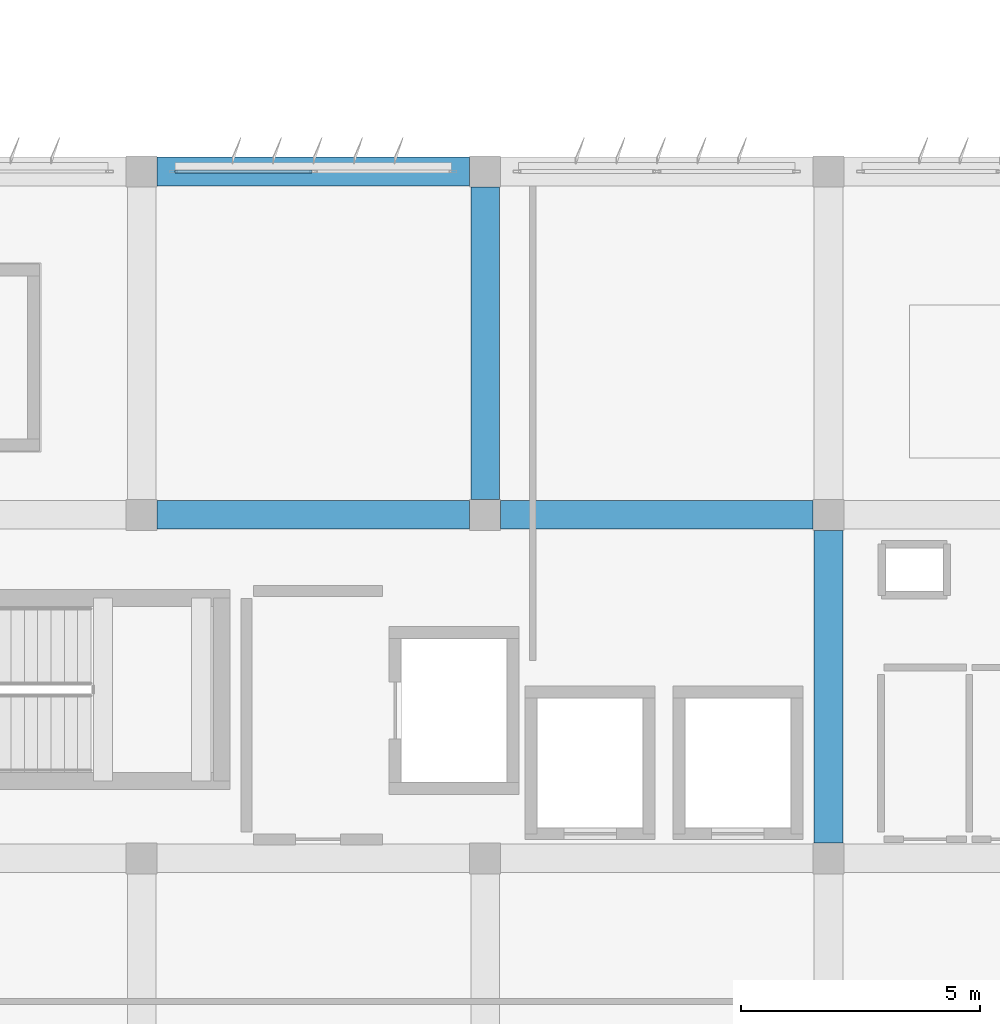
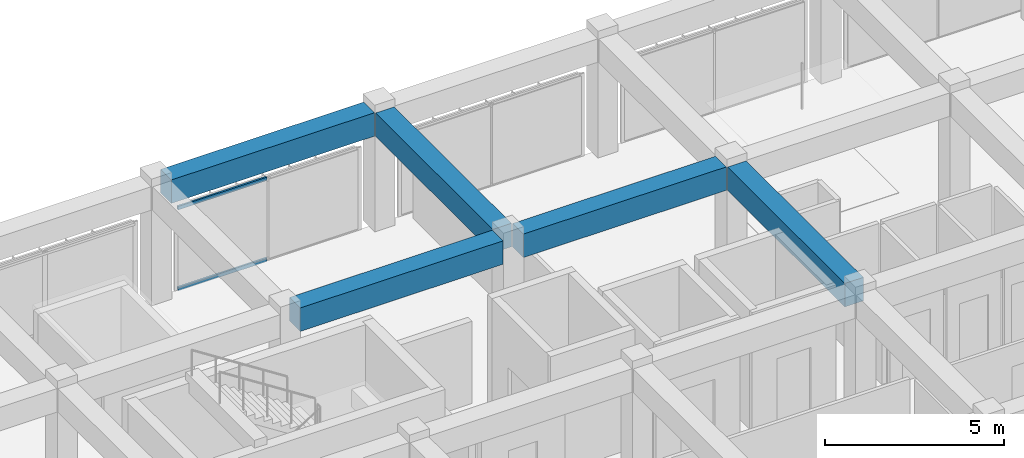
# One storey, part 14 of 53: 5 beams, 2 members, 1 element without a shape of its own.
"""IFC4 building model written with IfcOpenShell, lengths in metres."""

from ifc_helpers import new_model, si_unit, direction, frame, origin, origin_2d, place, context, subcontext, project, spatial, rectangle, hollow_rectangle, extrude, material, material_profile, profile_set, type_object, element, aggregate, save


model = new_model("IFC4")

# Units and contexts
model_context = context("Model", 3, precision=1e-05, world=origin(), true_north=direction((0.0, 1.0)))
body_context = subcontext(model_context, "Body", "Model", "MODEL_VIEW")
ifc_project = project(units=[si_unit("LENGTHUNIT", "METRE"), si_unit("AREAUNIT", "SQUARE_METRE"), si_unit("VOLUMEUNIT", "CUBIC_METRE"), si_unit("PLANEANGLEUNIT", "RADIAN"), si_unit("MASSUNIT", "GRAM", prefix="KILO")], contexts=[model_context])

# Site, building, storey
site_placement = place(None, origin())
site = spatial("IfcSite", under=ifc_project, at=site_placement, CompositionType="ELEMENT")
building_placement = place(site_placement, origin())
building = spatial("IfcBuilding", under=site, at=building_placement, Name="Kazehaya Institute of Natural Sciences", CompositionType="ELEMENT")
storey_placement = place(building_placement, frame((0.0, 0.0, 33.300048828125)))
storey = spatial("IfcBuildingStorey", under=building, at=storey_placement, Name="L07", CompositionType="ELEMENT", Elevation=33.300048828125)

# Beams
ifc_material_1 = material(Name="Concrete Fc36", Category="concrete")
ifc_material_profile_1 = material_profile(ifc_material_1, rectangle(XDim=0.60009765625, YDim=0.800048828125, at=origin_2d()), Name="RC-600x800")
ifc_profile_set_1 = profile_set([ifc_material_profile_1], Name="Concrete Fc36")
beam_type = type_object("IfcBeamType", Name="BM-G-600x800", PredefinedType="BEAM", material=ifc_profile_set_1)
for number, where, z_axis, x_axis, name in (
    (1, (69.324951171875, 28.39990234375, 3.64990234375), (1.0, 0.0, 0.0), (0.0, 1.0, 0.0), "L07 primary X girder BMX-L07-690-284"),
    (2, (76.52490234375, 28.39990234375, 3.64990234375), (1.0, 0.0, 0.0), (0.0, 1.0, 0.0), "L07 primary X girder BMX-L07-762-284"),
    (3, (69.324951171875, 35.60009765625, 3.64990234375), (1.0, 0.0, 0.0), (0.0, 1.0, 0.0), "L07 primary X girder BMX-L07-690-356"),
):
    element("IfcBeam", number, at=place(storey_placement, frame(where, z_axis=z_axis, x_axis=x_axis)), inside=storey, type_object=beam_type, Name=name, PredefinedType="BEAM", context=body_context, shape_type="SweptSolid", body=[
        extrude(rectangle(XDim=0.60009765625, YDim=0.800048828125, at=origin_2d()), origin(), (0.0, 0.0, 1.0), 6.550048828125),
    ])
beam_1_placement = place(storey_placement, frame((76.199951171875, 28.72509765625, 3.64990234375), z_axis=(0.0, 1.0, 0.0), x_axis=(-1.0, 0.0, 0.0)))
element("IfcBeam", 4, at=beam_1_placement, inside=storey, type_object=beam_type, Name="L07 primary Y girder BMY-L07-762-284", PredefinedType="BEAM", context=body_context, shape_type="SweptSolid", body=[
    extrude(rectangle(XDim=0.60009765625, YDim=0.800048828125, at=origin_2d()), origin(), (0.0, 0.0, 1.0), 6.5498046875),
])
beam_2_placement = place(storey_placement, frame((83.39990234375, 21.52490234375, 3.64990234375), z_axis=(0.0, 1.0, 0.0), x_axis=(-1.0, 0.0, 0.0)))
element("IfcBeam", 5, at=beam_2_placement, inside=storey, type_object=beam_type, Name="L07 primary Y girder BMY-L07-834-212", PredefinedType="BEAM", context=body_context, shape_type="SweptSolid", body=[
    extrude(rectangle(XDim=0.60009765625, YDim=0.800048828125, at=origin_2d()), origin(), (0.0, 0.0, 1.0), 6.550048828125),
])

# Curtain wall, members
ifc_material_2 = material(Name="Aluminium alloy A6063S-T5", Category="aluminium")
curtain_wall_type = type_object("IfcCurtainWallType", Name="CW-SYS-05", PredefinedType="NOTDEFINED", material=ifc_material_2)
curtain_wall_placement = place(storey_placement, origin())
curtain_wall = element("IfcCurtainWall", 6, at=curtain_wall_placement, inside=storey, type_object=curtain_wall_type, Name="L07 unitised curtain wall CW-L07-159", PredefinedType="NOTDEFINED")
ifc_material_profile_2 = material_profile(ifc_material_2, hollow_rectangle(XDim=0.06005859375, YDim=0.1201171875, WallThickness=0.00341796875, at=origin_2d()), Name="ALU-60x120x3.5")
ifc_profile_set_2 = profile_set([ifc_material_profile_2], Name="Aluminium alloy A6063S-T5")
member_type = type_object("IfcMemberType", Name="CWT-120", PredefinedType="USERDEFINED", material=ifc_profile_set_2)
member_1_placement = place(storey_placement, frame((69.699951171875, 35.60009765625, 0.030029296875), z_axis=(1.0, 0.0, 0.0), x_axis=(0.0, 1.0, 0.0)))
member_1 = element("IfcMember", 7, at=member_1_placement, type_object=member_type, Name="CW05 transom 1.1", ObjectType="TRANSOM", PredefinedType="USERDEFINED", context=body_context, shape_type="SweptSolid", body=[
    extrude(hollow_rectangle(XDim=0.06005859375, YDim=0.1201171875, WallThickness=0.00341796875, at=origin_2d()), origin(), (0.0, 0.0, 1.0), 2.8701171875),
])
member_2_placement = place(storey_placement, frame((69.699951171875, 35.60009765625, 2.7900390625), z_axis=(1.0, 0.0, 0.0), x_axis=(0.0, 1.0, 0.0)))
member_2 = element("IfcMember", 8, at=member_2_placement, type_object=member_type, Name="CW05 transom 1.2", ObjectType="TRANSOM", PredefinedType="USERDEFINED", context=body_context, shape_type="SweptSolid", body=[
    extrude(hollow_rectangle(XDim=0.06005859375, YDim=0.1201171875, WallThickness=0.00341796875, at=origin_2d()), origin(), (0.0, 0.0, 1.0), 2.8701171875),
])
aggregate(curtain_wall, [member_1, member_2])

save(model, "model.ifc")
